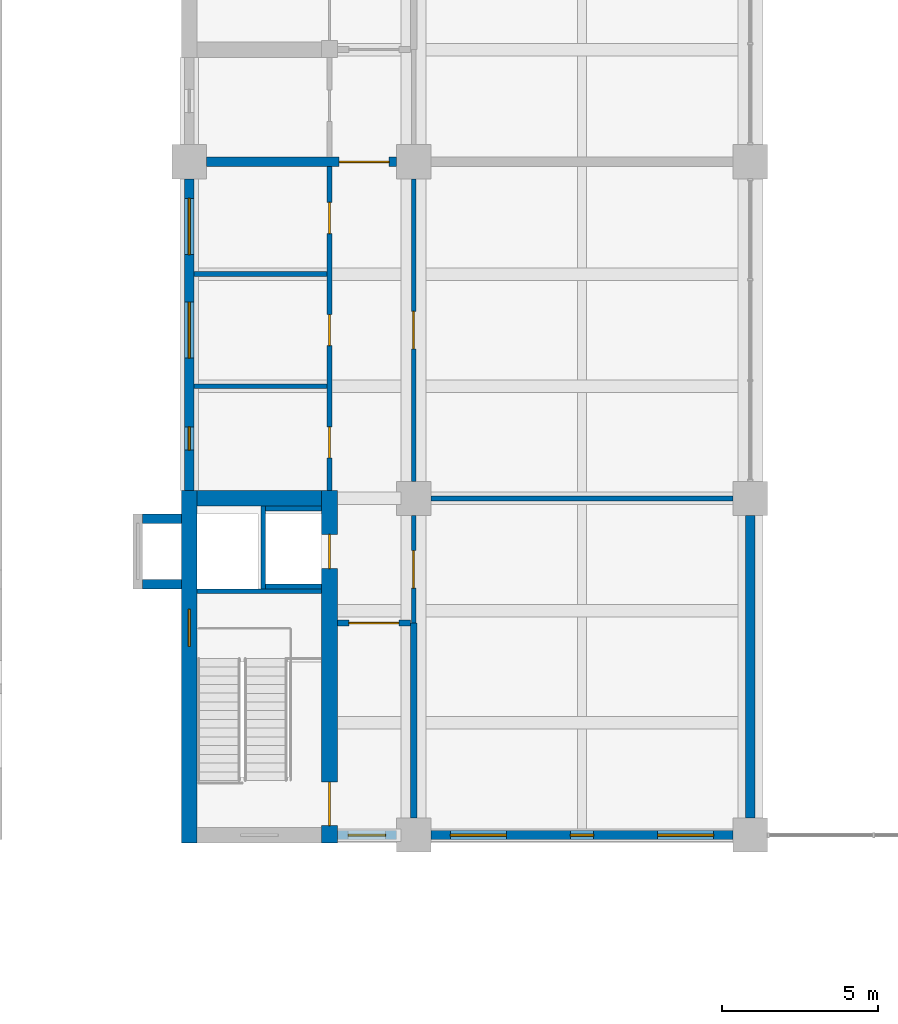
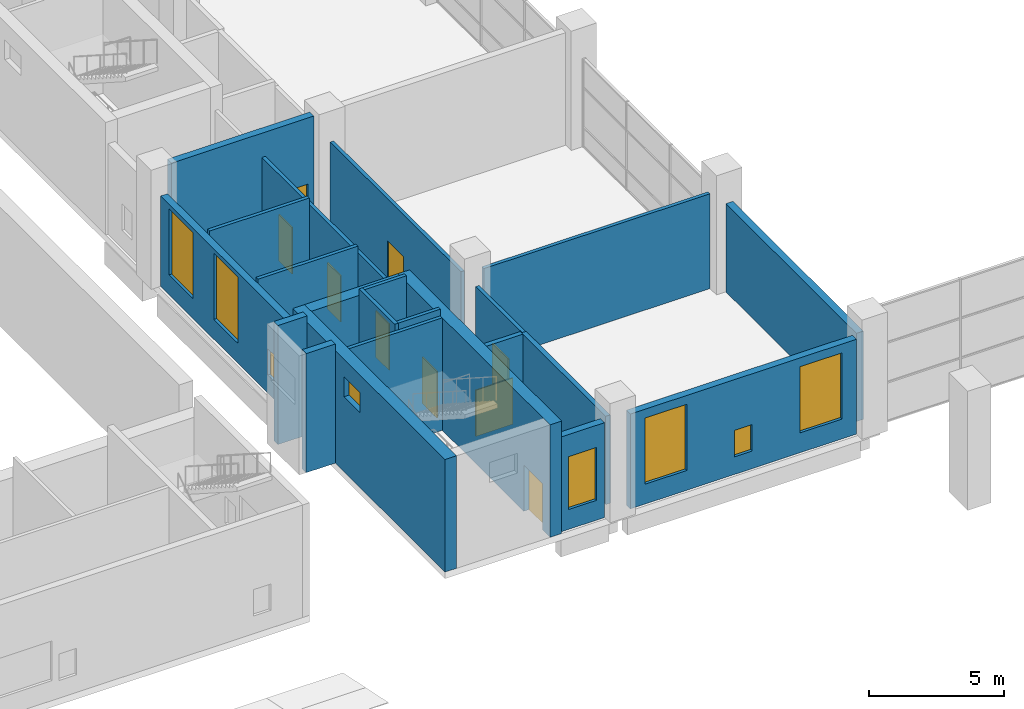
# One storey, part 18 of 33: 22 walls, 9 doors, 8 windows, 17 openings.
"""IFC4 building model written with IfcOpenShell, lengths in metres."""

from ifc_helpers import new_model, si_unit, direction, frame, frame_2d, origin, place, context, subcontext, project, spatial, rectangle, extrude, material, layer, layer_set, type_object, element, fill, save


model = new_model("IFC4")

# Units and contexts
model_context = context("Model", 3, precision=1e-05, world=origin(), true_north=direction((0.0, 1.0)))
body_context = subcontext(model_context, "Body", "Model", "MODEL_VIEW")
ifc_project = project(units=[si_unit("LENGTHUNIT", "METRE"), si_unit("AREAUNIT", "SQUARE_METRE"), si_unit("VOLUMEUNIT", "CUBIC_METRE"), si_unit("PLANEANGLEUNIT", "RADIAN"), si_unit("MASSUNIT", "GRAM", prefix="KILO")], contexts=[model_context])

# Site, building, storey
site_placement = place(None, origin())
site = spatial("IfcSite", under=ifc_project, at=site_placement, CompositionType="ELEMENT")
building_placement = place(site_placement, origin())
building = spatial("IfcBuilding", under=site, at=building_placement, Name="Basin Gate Institute", CompositionType="ELEMENT")
storey_placement = place(building_placement, frame((0.0, 0.0, 6.0)))
storey = spatial("IfcBuildingStorey", under=building, at=storey_placement, Name="L01", CompositionType="ELEMENT", Elevation=6.0)

# Wall
ifc_material_1 = material(Name="Fire-resisting board wall assembly")
ifc_layer_1 = layer(ifc_material_1, 0.300048828125)
ifc_layer_set_1 = layer_set([ifc_layer_1], Name="Atrium enclosure wall EW4")
wall_type_1 = type_object("IfcWallType", Name="Atrium enclosure wall EW4", PredefinedType="STANDARD", material=ifc_layer_set_1)
wall_1_placement = place(storey_placement, frame((79.199951171875, 35.64990234375, 0.0), z_axis=(0.0, 0.0, 1.0), x_axis=(0.0, 1.0, 0.0)))
element("IfcWall", 1, at=wall_1_placement, inside=storey, type_object=wall_type_1, material=ifc_layer_set_1, Name="Atrium enclosure wall W wing bay 1 L01", PredefinedType="STANDARD", context=body_context, shape_type="SweptSolid", body=[
    extrude(rectangle(XDim=9.7001953125, YDim=0.300048828125, at=frame_2d((4.85009765625, 0.0))), origin(), (0.0, 0.0, 1.0), 4.0),
])

# Wall, opening, door
ifc_material_2 = material(Name="Fire-rated masonry", Category="masonry")
ifc_layer_2 = layer(ifc_material_2, 0.199951171875)
ifc_layer_set_2 = layer_set([ifc_layer_2], Name="Enclosure wall PW2 200 EI 60")
wall_type_2 = type_object("IfcWallType", Name="Enclosure wall PW2 200 EI 60", PredefinedType="PARTITIONING", material=ifc_layer_set_2)
wall_2_placement = place(storey_placement, frame((65.949951171875, 41.89990234375, 0.0), z_axis=(0.0, 0.0, 1.0), x_axis=(1.0, 0.0, 0.0)))
wall_2 = element("IfcWall", 2, at=wall_2_placement, inside=storey, type_object=wall_type_2, material=ifc_layer_set_2, Name="Smoke lobby enclosure wall PW2 L01", PredefinedType="PARTITIONING", context=body_context, shape_type="SweptSolid", body=[
    extrude(rectangle(XDim=2.35009765625, YDim=0.199951171875, at=frame_2d((1.175048828125, 0.0))), origin(), (0.0, 0.0, 1.0), 4.0),
])
opening_1_placement = place(wall_2_placement, frame((0.375, 0.0, 0.0)))
opening_1 = element("IfcOpeningElement", 3, at=opening_1_placement, cuts=wall_2, Name="Opening DR086", PredefinedType="OPENING", context=body_context, shape_type="SweptSolid", body=[
    extrude(rectangle(XDim=1.60009765625, YDim=2.10009765625, at=frame_2d((0.800048828125, 1.050048828125))), frame((0.0, 0.10986328125, 0.0), z_axis=(0.0, -1.0, 0.0), x_axis=(1.0, 0.0, 0.0)), (0.0, 0.0, 1.0), 0.219970703125),
])
ifc_material_3 = material(Name="Steel fire door", Category="steel")
door_type_1 = type_object("IfcDoorType", Name="FD60 Smoke lobby door pair D8", OperationType="DOUBLE_DOOR_SINGLE_SWING", PredefinedType="DOOR", material=ifc_material_3)
door_1_placement = place(opening_1_placement, frame((1.60009765625, 0.0, 0.0), z_axis=(0.0, 0.0, 1.0), x_axis=(-1.0, 0.0, 0.0)))
door_1 = element("IfcDoor", 4, at=door_1_placement, inside=storey, type_object=door_type_1, material=ifc_material_3, Name="Smoke lobby door SS1 L01", OperationType="DOUBLE_DOOR_SINGLE_SWING", OverallHeight=2.10009765625, OverallWidth=1.60009765625, PredefinedType="DOOR", context=body_context, shape_type="SweptSolid", body=[
    extrude(rectangle(XDim=1.60009765625, YDim=2.10009765625, at=frame_2d((0.800048828125, 1.050048828125))), frame((0.0, 0.02490234375, 0.0), z_axis=(0.0, -1.0, 0.0), x_axis=(1.0, 0.0, 0.0)), (0.0, 0.0, 1.0), 0.050048828125),
])
fill(opening_1, door_1)

# Wall
wall_3_placement = place(storey_placement, frame((68.39990234375, 35.64990234375, 0.0), z_axis=(0.0, 0.0, 1.0), x_axis=(0.0, 1.0, 0.0)))
element("IfcWall", 5, at=wall_3_placement, inside=storey, type_object=wall_type_2, material=ifc_layer_set_2, Name="Smoke lobby enclosure wall PW2 L01", PredefinedType="PARTITIONING", context=body_context, shape_type="SweptSolid", body=[
    extrude(rectangle(XDim=6.25, YDim=0.199951171875, at=frame_2d((3.125, 0.0))), origin(), (0.0, 0.0, 1.0), 4.0),
])

# Wall, openings, windows
ifc_material_4 = material(Name="Aluminium-faced insulated panel wall", Category="aluminium")
ifc_layer_3 = layer(ifc_material_4, 0.300048828125)
ifc_layer_set_3 = layer_set([ifc_layer_3], Name="External wall EW1 EI 120")
wall_type_3 = type_object("IfcWallType", Name="External wall EW1 EI 120", PredefinedType="STANDARD", material=ifc_layer_set_3)
wall_4_placement = place(storey_placement, frame((61.199951171875, 46.14990234375, 0.0), z_axis=(0.0, 0.0, 1.0), x_axis=(0.0, 1.0, 0.0)))
wall_4 = element("IfcWall", 6, at=wall_4_placement, inside=storey, type_object=wall_type_3, material=ifc_layer_set_3, Name="External wall W facade L01 1", PredefinedType="STANDARD", context=body_context, shape_type="SweptSolid", body=[
    extrude(rectangle(XDim=10.0, YDim=0.300048828125, at=frame_2d((5.0, 0.0))), origin(), (0.0, 0.0, 1.0), 4.10009765625),
])
opening_2_placement = place(wall_4_placement, frame((1.300048828125, 0.0, 0.800048828125)))
opening_2 = element("IfcOpeningElement", 7, at=opening_2_placement, cuts=wall_4, Name="Opening WN3", PredefinedType="OPENING", context=body_context, shape_type="SweptSolid", body=[
    extrude(rectangle(XDim=0.75, YDim=1.199951171875, at=frame_2d((0.375, 0.60009765625))), frame((0.0, 0.16015625, 0.0), z_axis=(0.0, -1.0, 0.0), x_axis=(1.0, 0.0, 0.0)), (0.0, 0.0, 1.0), 0.320068359375),
])
opening_3_placement = place(wall_4_placement, frame((4.25, 0.0, 0.89990234375)))
opening_3 = element("IfcOpeningElement", 8, at=opening_3_placement, cuts=wall_4, Name="Opening WN2", PredefinedType="OPENING", context=body_context, shape_type="SweptSolid", body=[
    extrude(rectangle(XDim=1.800048828125, YDim=3.0, at=frame_2d((0.89990234375, 1.5))), frame((0.0, 0.16015625, 0.0), z_axis=(0.0, -1.0, 0.0), x_axis=(1.0, 0.0, 0.0)), (0.0, 0.0, 1.0), 0.320068359375),
])
opening_4_placement = place(wall_4_placement, frame((7.574951171875, 0.0, 0.89990234375)))
opening_4 = element("IfcOpeningElement", 9, at=opening_4_placement, cuts=wall_4, Name="Opening WN2", PredefinedType="OPENING", context=body_context, shape_type="SweptSolid", body=[
    extrude(rectangle(XDim=1.800048828125, YDim=3.0, at=frame_2d((0.89990234375, 1.5))), frame((0.0, 0.16015625, 0.0), z_axis=(0.0, -1.0, 0.0), x_axis=(1.0, 0.0, 0.0)), (0.0, 0.0, 1.0), 0.320068359375),
])
ifc_material_5 = material(Name="Aluminium-framed double glazing", Category="aluminium")
window_type_1 = type_object("IfcWindowType", Name="Emergency entry panel WN3", PartitioningType="SINGLE_PANEL", PredefinedType="WINDOW", material=ifc_material_5)
window_1_placement = place(opening_2_placement, origin())
window_1 = element("IfcWindow", 10, at=window_1_placement, inside=storey, type_object=window_type_1, material=ifc_material_5, Name="Emergency entry panel W facade L01 bay 4", OverallHeight=1.199951171875, OverallWidth=0.75, PartitioningType="SINGLE_PANEL", PredefinedType="WINDOW", context=body_context, shape_type="SweptSolid", body=[
    extrude(rectangle(XDim=0.75, YDim=1.199951171875, at=frame_2d((0.375, 0.60009765625))), frame((0.0, 0.030029296875, 0.0), z_axis=(0.0, -1.0, 0.0), x_axis=(1.0, 0.0, 0.0)), (0.0, 0.0, 1.0), 0.06005859375),
])
fill(opening_2, window_1)
ifc_material_6 = material(Name="Aluminium-framed double glazing", Category="aluminium")
window_type_2 = type_object("IfcWindowType", Name="Podium window WN2", PartitioningType="SINGLE_PANEL", PredefinedType="WINDOW", material=ifc_material_6)
window_2_placement = place(opening_3_placement, origin())
window_2 = element("IfcWindow", 11, at=window_2_placement, inside=storey, type_object=window_type_2, material=ifc_material_6, Name="Podium window W facade L01 bay 5", OverallHeight=3.0, OverallWidth=1.800048828125, PartitioningType="SINGLE_PANEL", PredefinedType="WINDOW", context=body_context, shape_type="SweptSolid", body=[
    extrude(rectangle(XDim=1.800048828125, YDim=3.0, at=frame_2d((0.89990234375, 1.5))), frame((0.0, 0.030029296875, 0.0), z_axis=(0.0, -1.0, 0.0), x_axis=(1.0, 0.0, 0.0)), (0.0, 0.0, 1.0), 0.06005859375),
])
fill(opening_3, window_2)
window_3_placement = place(opening_4_placement, origin())
window_3 = element("IfcWindow", 12, at=window_3_placement, inside=storey, type_object=window_type_2, material=ifc_material_6, Name="Podium window W facade L01 bay 6", OverallHeight=3.0, OverallWidth=1.800048828125, PartitioningType="SINGLE_PANEL", PredefinedType="WINDOW", context=body_context, shape_type="SweptSolid", body=[
    extrude(rectangle(XDim=1.800048828125, YDim=3.0, at=frame_2d((0.89990234375, 1.5))), frame((0.0, 0.030029296875, 0.0), z_axis=(0.0, -1.0, 0.0), x_axis=(1.0, 0.0, 0.0)), (0.0, 0.0, 1.0), 0.06005859375),
])
fill(opening_4, window_3)

# Wall, opening, window
wall_5_placement = place(storey_placement, frame((65.949951171875, 35.10009765625, 0.0), z_axis=(0.0, 0.0, 1.0), x_axis=(1.0, 0.0, 0.0)))
wall_5 = element("IfcWall", 13, at=wall_5_placement, inside=storey, type_object=wall_type_3, material=ifc_layer_set_3, Name="External end wall W wing south L01 1", PredefinedType="STANDARD", context=body_context, shape_type="SweptSolid", body=[
    extrude(rectangle(XDim=1.900146484375, YDim=0.300048828125, at=frame_2d((0.9501953125, 0.0))), origin(), (0.0, 0.0, 1.0), 4.300048828125),
])
opening_5_placement = place(wall_5_placement, frame((0.35009765625, 0.0, 0.89990234375)))
opening_5 = element("IfcOpeningElement", 14, at=opening_5_placement, cuts=wall_5, Name="Opening WN4", PredefinedType="OPENING", context=body_context, shape_type="SweptSolid", body=[
    extrude(rectangle(XDim=1.199951171875, YDim=2.39990234375, at=frame_2d((0.60009765625, 1.199951171875))), frame((0.0, 0.16015625, 0.0), z_axis=(0.0, -1.0, 0.0), x_axis=(1.0, 0.0, 0.0)), (0.0, 0.0, 1.0), 0.320068359375),
])
ifc_material_7 = material(Name="Aluminium-framed double glazing", Category="aluminium")
window_type_3 = type_object("IfcWindowType", Name="Corridor end window WN4", PartitioningType="SINGLE_PANEL", PredefinedType="WINDOW", material=ifc_material_7)
window_4_placement = place(opening_5_placement, origin())
window_4 = element("IfcWindow", 15, at=window_4_placement, inside=storey, type_object=window_type_3, material=ifc_material_7, Name="Corridor end window W wing S L01", OverallHeight=2.39990234375, OverallWidth=1.199951171875, PartitioningType="SINGLE_PANEL", PredefinedType="WINDOW", context=body_context, shape_type="SweptSolid", body=[
    extrude(rectangle(XDim=1.199951171875, YDim=2.39990234375, at=frame_2d((0.60009765625, 1.199951171875))), frame((0.0, 0.030029296875, 0.0), z_axis=(0.0, -1.0, 0.0), x_axis=(1.0, 0.0, 0.0)), (0.0, 0.0, 1.0), 0.06005859375),
])
fill(opening_5, window_4)

# Wall, openings, windows
wall_6_placement = place(storey_placement, frame((68.949951171875, 35.10009765625, 0.0), z_axis=(0.0, 0.0, 1.0), x_axis=(1.0, 0.0, 0.0)))
wall_6 = element("IfcWall", 16, at=wall_6_placement, inside=storey, type_object=wall_type_3, material=ifc_layer_set_3, Name="External end wall W wing south L01 2", PredefinedType="STANDARD", context=body_context, shape_type="SweptSolid", body=[
    extrude(rectangle(XDim=9.699951171875, YDim=0.300048828125, at=frame_2d((4.85009765625, 0.0))), origin(), (0.0, 0.0, 1.0), 4.300048828125),
])
opening_6_placement = place(wall_6_placement, frame((0.625, 0.0, 0.89990234375)))
opening_6 = element("IfcOpeningElement", 17, at=opening_6_placement, cuts=wall_6, Name="Opening WN2", PredefinedType="OPENING", context=body_context, shape_type="SweptSolid", body=[
    extrude(rectangle(XDim=1.800048828125, YDim=3.0, at=frame_2d((0.89990234375, 1.5))), frame((0.0, 0.16015625, 0.0), z_axis=(0.0, -1.0, 0.0), x_axis=(1.0, 0.0, 0.0)), (0.0, 0.0, 1.0), 0.320068359375),
])
opening_7_placement = place(wall_6_placement, frame((4.47509765625, 0.0, 0.800048828125)))
opening_7 = element("IfcOpeningElement", 18, at=opening_7_placement, cuts=wall_6, Name="Opening WN3", PredefinedType="OPENING", context=body_context, shape_type="SweptSolid", body=[
    extrude(rectangle(XDim=0.75, YDim=1.199951171875, at=frame_2d((0.375, 0.60009765625))), frame((0.0, 0.16015625, 0.0), z_axis=(0.0, -1.0, 0.0), x_axis=(1.0, 0.0, 0.0)), (0.0, 0.0, 1.0), 0.320068359375),
])
opening_8_placement = place(wall_6_placement, frame((7.27490234375, 0.0, 0.89990234375)))
opening_8 = element("IfcOpeningElement", 19, at=opening_8_placement, cuts=wall_6, Name="Opening WN2", PredefinedType="OPENING", context=body_context, shape_type="SweptSolid", body=[
    extrude(rectangle(XDim=1.800048828125, YDim=3.0, at=frame_2d((0.89990234375, 1.5))), frame((0.0, 0.16015625, 0.0), z_axis=(0.0, -1.0, 0.0), x_axis=(1.0, 0.0, 0.0)), (0.0, 0.0, 1.0), 0.320068359375),
])
window_5_placement = place(opening_7_placement, origin())
window_5 = element("IfcWindow", 20, at=window_5_placement, inside=storey, type_object=window_type_1, material=ifc_material_5, Name="Emergency entry panel W wing end S L01 bay 2", OverallHeight=1.199951171875, OverallWidth=0.75, PartitioningType="SINGLE_PANEL", PredefinedType="WINDOW", context=body_context, shape_type="SweptSolid", body=[
    extrude(rectangle(XDim=0.75, YDim=1.199951171875, at=frame_2d((0.375, 0.60009765625))), frame((0.0, 0.030029296875, 0.0), z_axis=(0.0, -1.0, 0.0), x_axis=(1.0, 0.0, 0.0)), (0.0, 0.0, 1.0), 0.06005859375),
])
fill(opening_7, window_5)
window_6_placement = place(opening_6_placement, origin())
window_6 = element("IfcWindow", 21, at=window_6_placement, inside=storey, type_object=window_type_2, material=ifc_material_6, Name="Podium window W wing end S L01 bay 1", OverallHeight=3.0, OverallWidth=1.800048828125, PartitioningType="SINGLE_PANEL", PredefinedType="WINDOW", context=body_context, shape_type="SweptSolid", body=[
    extrude(rectangle(XDim=1.800048828125, YDim=3.0, at=frame_2d((0.89990234375, 1.5))), frame((0.0, 0.030029296875, 0.0), z_axis=(0.0, -1.0, 0.0), x_axis=(1.0, 0.0, 0.0)), (0.0, 0.0, 1.0), 0.06005859375),
])
fill(opening_6, window_6)
window_7_placement = place(opening_8_placement, origin())
window_7 = element("IfcWindow", 22, at=window_7_placement, inside=storey, type_object=window_type_2, material=ifc_material_6, Name="Podium window W wing end S L01 bay 3", OverallHeight=3.0, OverallWidth=1.800048828125, PartitioningType="SINGLE_PANEL", PredefinedType="WINDOW", context=body_context, shape_type="SweptSolid", body=[
    extrude(rectangle(XDim=1.800048828125, YDim=3.0, at=frame_2d((0.89990234375, 1.5))), frame((0.0, 0.030029296875, 0.0), z_axis=(0.0, -1.0, 0.0), x_axis=(1.0, 0.0, 0.0)), (0.0, 0.0, 1.0), 0.06005859375),
])
fill(opening_8, window_7)

# Wall, openings, doors
ifc_material_8 = material(Name="Gypsum board on steel stud", Category="steel")
ifc_layer_4 = layer(ifc_material_8, 0.14990234375)
ifc_layer_set_4 = layer_set([ifc_layer_4], Name="Gypsum board on steel stud")
wall_type_4 = type_object("IfcWallType", Name="Partition PW1 150 EI 60", PredefinedType="PARTITIONING", material=ifc_layer_set_4)
wall_7_placement = place(storey_placement, frame((65.699951171875, 46.14990234375, 0.0), z_axis=(0.0, 0.0, 1.0), x_axis=(0.0, 1.0, 0.0)))
wall_7 = element("IfcWall", 23, at=wall_7_placement, inside=storey, type_object=wall_type_4, material=ifc_layer_set_4, Name="Corridor wall PW1 L01", PredefinedType="PARTITIONING", context=body_context, shape_type="SweptSolid", body=[
    extrude(rectangle(XDim=10.400146484375, YDim=0.14990234375, at=frame_2d((5.2001953125, 0.0))), origin(), (0.0, 0.0, 1.0), 4.0),
])
opening_9_placement = place(wall_7_placement, frame((4.64990234375, 0.0, 0.0)))
opening_9 = element("IfcOpeningElement", 24, at=opening_9_placement, cuts=wall_7, Name="Opening DR074", PredefinedType="OPENING", context=body_context, shape_type="SweptSolid", body=[
    extrude(rectangle(XDim=1.0, YDim=2.10009765625, at=frame_2d((0.5, 1.050048828125))), frame((0.0, 0.0849609375, 0.0), z_axis=(0.0, -1.0, 0.0), x_axis=(1.0, 0.0, 0.0)), (0.0, 0.0, 1.0), 0.169921875),
])
opening_10_placement = place(wall_7_placement, frame((1.050048828125, 0.0, 0.0)))
opening_10 = element("IfcOpeningElement", 25, at=opening_10_placement, cuts=wall_7, Name="Opening DR081", PredefinedType="OPENING", context=body_context, shape_type="SweptSolid", body=[
    extrude(rectangle(XDim=1.0, YDim=2.10009765625, at=frame_2d((0.5, 1.050048828125))), frame((0.0, 0.0849609375, 0.0), z_axis=(0.0, -1.0, 0.0), x_axis=(1.0, 0.0, 0.0)), (0.0, 0.0, 1.0), 0.169921875),
])
opening_11_placement = place(wall_7_placement, frame((8.25, 0.0, 0.0)))
opening_11 = element("IfcOpeningElement", 26, at=opening_11_placement, cuts=wall_7, Name="Opening DR082", PredefinedType="OPENING", context=body_context, shape_type="SweptSolid", body=[
    extrude(rectangle(XDim=1.0, YDim=2.10009765625, at=frame_2d((0.5, 1.050048828125))), frame((0.0, 0.0849609375, 0.0), z_axis=(0.0, -1.0, 0.0), x_axis=(1.0, 0.0, 0.0)), (0.0, 0.0, 1.0), 0.169921875),
])
ifc_material_9 = material(Name="Timber fire door", Category="wood")
door_type_2 = type_object("IfcDoorType", Name="FD30 Office door D1", OperationType="NOTDEFINED", PredefinedType="DOOR", material=ifc_material_9)
door_2_placement = place(opening_10_placement, origin())
door_2 = element("IfcDoor", 27, at=door_2_placement, inside=storey, type_object=door_type_2, material=ifc_material_9, Name="Door to Write-up Office 0101 L01", OperationType="SINGLE_SWING_LEFT", OverallHeight=2.10009765625, OverallWidth=1.0, PredefinedType="DOOR", context=body_context, shape_type="SweptSolid", body=[
    extrude(rectangle(XDim=1.0, YDim=2.10009765625, at=frame_2d((0.5, 1.050048828125))), frame((0.0, 0.02490234375, 0.0), z_axis=(0.0, -1.0, 0.0), x_axis=(1.0, 0.0, 0.0)), (0.0, 0.0, 1.0), 0.050048828125),
])
fill(opening_10, door_2)
door_3_placement = place(opening_11_placement, origin())
door_3 = element("IfcDoor", 28, at=door_3_placement, inside=storey, type_object=door_type_2, material=ifc_material_9, Name="Door to Write-up Office 0103 L01", OperationType="SINGLE_SWING_RIGHT", OverallHeight=2.10009765625, OverallWidth=1.0, PredefinedType="DOOR", context=body_context, shape_type="SweptSolid", body=[
    extrude(rectangle(XDim=1.0, YDim=2.10009765625, at=frame_2d((0.5, 1.050048828125))), frame((0.0, 0.02490234375, 0.0), z_axis=(0.0, -1.0, 0.0), x_axis=(1.0, 0.0, 0.0)), (0.0, 0.0, 1.0), 0.050048828125),
])
fill(opening_11, door_3)
ifc_material_10 = material(Name="Timber fire door", Category="wood")
door_type_3 = type_object("IfcDoorType", Name="FD30 Toilet door D3", OperationType="NOTDEFINED", PredefinedType="DOOR", material=ifc_material_10)
door_4_placement = place(opening_9_placement, origin())
door_4 = element("IfcDoor", 29, at=door_4_placement, inside=storey, type_object=door_type_3, material=ifc_material_10, Name="Door to Female WC L01", OperationType="SINGLE_SWING_LEFT", OverallHeight=2.10009765625, OverallWidth=1.0, PredefinedType="DOOR", context=body_context, shape_type="SweptSolid", body=[
    extrude(rectangle(XDim=1.0, YDim=2.10009765625, at=frame_2d((0.5, 1.050048828125))), frame((0.0, 0.02490234375, 0.0), z_axis=(0.0, -1.0, 0.0), x_axis=(1.0, 0.0, 0.0)), (0.0, 0.0, 1.0), 0.050048828125),
])
fill(opening_9, door_4)

# Wall, opening, door
wall_8_placement = place(storey_placement, frame((68.39990234375, 41.89990234375, 0.0), z_axis=(0.0, 0.0, 1.0), x_axis=(0.0, 1.0, 0.0)))
wall_8 = element("IfcWall", 30, at=wall_8_placement, inside=storey, type_object=wall_type_4, material=ifc_layer_set_4, Name="Laboratory corridor wall PW1 L01", PredefinedType="PARTITIONING", context=body_context, shape_type="SweptSolid", body=[
    extrude(rectangle(XDim=3.4501953125, YDim=0.14990234375, at=frame_2d((1.72509765625, 0.0))), origin(), (0.0, 0.0, 1.0), 4.0),
])
opening_12_placement = place(wall_8_placement, frame((1.125, 0.0, 0.0)))
opening_12 = element("IfcOpeningElement", 31, at=opening_12_placement, cuts=wall_8, Name="Opening DR075", PredefinedType="OPENING", context=body_context, shape_type="SweptSolid", body=[
    extrude(rectangle(XDim=1.199951171875, YDim=2.10009765625, at=frame_2d((0.60009765625, 1.050048828125))), frame((0.0, 0.0849609375, 0.0), z_axis=(0.0, -1.0, 0.0), x_axis=(1.0, 0.0, 0.0)), (0.0, 0.0, 1.0), 0.169921875),
])
ifc_material_11 = material(Name="Timber fire door", Category="wood")
door_type_4 = type_object("IfcDoorType", Name="FD30 Laboratory door D2", OperationType="DOUBLE_DOOR_SINGLE_SWING", PredefinedType="DOOR", material=ifc_material_11)
door_5_placement = place(opening_12_placement, frame((1.199951171875, 0.0, 0.0), z_axis=(0.0, 0.0, 1.0), x_axis=(-1.0, 0.0, 0.0)))
door_5 = element("IfcDoor", 32, at=door_5_placement, inside=storey, type_object=door_type_4, material=ifc_material_11, Name="Door to Library 0116 L01", OperationType="DOUBLE_DOOR_SINGLE_SWING", OverallHeight=2.10009765625, OverallWidth=1.199951171875, PredefinedType="DOOR", context=body_context, shape_type="SweptSolid", body=[
    extrude(rectangle(XDim=1.199951171875, YDim=2.10009765625, at=frame_2d((0.60009765625, 1.050048828125))), frame((0.0, 0.02490234375, 0.0), z_axis=(0.0, -1.0, 0.0), x_axis=(1.0, 0.0, 0.0)), (0.0, 0.0, 1.0), 0.050048828125),
])
fill(opening_12, door_5)

wall_9_placement = place(storey_placement, frame((68.39990234375, 46.449951171875, 0.0), z_axis=(0.0, 0.0, 1.0), x_axis=(0.0, 1.0, 0.0)))
wall_9 = element("IfcWall", 33, at=wall_9_placement, inside=storey, type_object=wall_type_4, material=ifc_layer_set_4, Name="Laboratory corridor wall PW1 L01", PredefinedType="PARTITIONING", context=body_context, shape_type="SweptSolid", body=[
    extrude(rectangle(XDim=9.699951171875, YDim=0.14990234375, at=frame_2d((4.85009765625, 0.0))), origin(), (0.0, 0.0, 1.0), 4.0),
])
opening_13_placement = place(wall_9_placement, frame((4.25, 0.0, 0.0)))
opening_13 = element("IfcOpeningElement", 34, at=opening_13_placement, cuts=wall_9, Name="Opening DR076", PredefinedType="OPENING", context=body_context, shape_type="SweptSolid", body=[
    extrude(rectangle(XDim=1.199951171875, YDim=2.10009765625, at=frame_2d((0.60009765625, 1.050048828125))), frame((0.0, 0.0849609375, 0.0), z_axis=(0.0, -1.0, 0.0), x_axis=(1.0, 0.0, 0.0)), (0.0, 0.0, 1.0), 0.169921875),
])
door_6_placement = place(opening_13_placement, frame((1.199951171875, 0.0, 0.0), z_axis=(0.0, 0.0, 1.0), x_axis=(-1.0, 0.0, 0.0)))
door_6 = element("IfcDoor", 35, at=door_6_placement, inside=storey, type_object=door_type_4, material=ifc_material_11, Name="Door to Library 0117 L01", OperationType="DOUBLE_DOOR_SINGLE_SWING", OverallHeight=2.10009765625, OverallWidth=1.199951171875, PredefinedType="DOOR", context=body_context, shape_type="SweptSolid", body=[
    extrude(rectangle(XDim=1.199951171875, YDim=2.10009765625, at=frame_2d((0.60009765625, 1.050048828125))), frame((0.0, 0.02490234375, 0.0), z_axis=(0.0, -1.0, 0.0), x_axis=(1.0, 0.0, 0.0)), (0.0, 0.0, 1.0), 0.050048828125),
])
fill(opening_13, door_6)

# Walls
wall_10_placement = place(storey_placement, frame((68.949951171875, 45.89990234375, 0.0), z_axis=(0.0, 0.0, 1.0), x_axis=(1.0, 0.0, 0.0)))
element("IfcWall", 36, at=wall_10_placement, inside=storey, type_object=wall_type_4, material=ifc_layer_set_4, Name="Laboratory partition PW1 L01", PredefinedType="PARTITIONING", context=body_context, shape_type="SweptSolid", body=[
    extrude(rectangle(XDim=9.699951171875, YDim=0.14990234375, at=frame_2d((4.85009765625, 0.0))), origin(), (0.0, 0.0, 1.0), 4.300048828125),
])
ifc_material_12 = material(Name="Gypsum board on steel stud", Category="steel")
ifc_layer_5 = layer(ifc_material_12, 0.14990234375)
ifc_layer_set_5 = layer_set([ifc_layer_5], Name="Gypsum board on steel stud")
wall_type_5 = type_object("IfcWallType", Name="Partition PW4 150", PredefinedType="PARTITIONING", material=ifc_layer_set_5)
for number, where, z_axis, x_axis, name in (
    (37, (61.35009765625, 49.5, 0.0), (0.0, 0.0, 1.0), (1.0, 0.0, 0.0), "Toilet partition PW4 L01"),
    (38, (61.35009765625, 53.10009765625, 0.0), (0.0, 0.0, 1.0), (1.0, 0.0, 0.0), "Toilet partition PW4 L01"),
):
    element("IfcWall", number, at=place(storey_placement, frame(where, z_axis=z_axis, x_axis=x_axis)), inside=storey, type_object=wall_type_5, material=ifc_layer_set_5, Name=name, PredefinedType="PARTITIONING", context=body_context, shape_type="SweptSolid", body=[
        extrude(rectangle(XDim=4.27490234375, YDim=0.14990234375, at=frame_2d((2.137451171875, 0.0))), origin(), (0.0, 0.0, 1.0), 4.300048828125),
    ])
ifc_material_13 = material(Name="Concrete 40 MPa", Category="concrete")
ifc_layer_6 = layer(ifc_material_13, 0.14990234375)
ifc_layer_set_6 = layer_set([ifc_layer_6], Name="Concrete 40 MPa")
wall_type_6 = type_object("IfcWallType", Name="Wall LS1 lift shaft enclosure R180", PredefinedType="SOLIDWALL", material=ifc_layer_set_6)
wall_11_placement = place(storey_placement, frame((63.574951171875, 43.0, 0.0), z_axis=(0.0, 0.0, 1.0), x_axis=(0.0, 1.0, 0.0)))
element("IfcWall", 39, at=wall_11_placement, inside=storey, type_object=wall_type_6, material=ifc_layer_set_6, Name="Lift shaft enclosure LP1 L01 UL", PredefinedType="SOLIDWALL", context=body_context, shape_type="SweptSolid", body=[
    extrude(rectangle(XDim=2.64990234375, YDim=0.14990234375, at=frame_2d((1.324951171875, 0.0))), origin(), (0.0, 0.0, 1.0), 5.39990234375),
])
for number, where, z_axis, x_axis, name in (
    (40, (63.64990234375, 43.074951171875, 0.0), (0.0, 0.0, 1.0), (1.0, 0.0, 0.0), "Lift shaft enclosure LP1 L01 RL"),
    (41, (63.64990234375, 45.574951171875, 0.0), (0.0, 0.0, 1.0), (1.0, 0.0, 0.0), "Lift shaft enclosure LP1 L01 RH"),
):
    element("IfcWall", number, at=place(storey_placement, frame(where, z_axis=z_axis, x_axis=x_axis)), inside=storey, type_object=wall_type_6, material=ifc_layer_set_6, Name=name, PredefinedType="SOLIDWALL", context=body_context, shape_type="SweptSolid", body=[
        extrude(rectangle(XDim=1.800048828125, YDim=0.14990234375, at=frame_2d((0.89990234375, 0.0))), origin(), (0.0, 0.0, 1.0), 5.39990234375),
    ])
ifc_material_14 = material(Name="Concrete 40 MPa", Category="concrete")
ifc_layer_7 = layer(ifc_material_14, 0.14990234375)
ifc_layer_set_7 = layer_set([ifc_layer_7], Name="Concrete 40 MPa")
wall_type_7 = type_object("IfcWallType", Name="Wall SE1 stair enclosure R180", PredefinedType="SOLIDWALL", material=ifc_layer_set_7)
wall_12_placement = place(storey_placement, frame((61.449951171875, 42.925048828125, 0.0), z_axis=(0.0, 0.0, 1.0), x_axis=(1.0, 0.0, 0.0)))
element("IfcWall", 42, at=wall_12_placement, inside=storey, type_object=wall_type_7, material=ifc_layer_set_7, Name="Stair enclosure wall ST-WS L01", PredefinedType="SOLIDWALL", context=body_context, shape_type="SweptSolid", body=[
    extrude(rectangle(XDim=4.0, YDim=0.14990234375, at=frame_2d((2.0, 0.0))), origin(), (0.0, 0.0, 1.0), 5.10009765625),
])
ifc_material_15 = material(Name="Concrete 50 MPa", Category="concrete")
ifc_layer_8 = layer(ifc_material_15, 0.300048828125)
ifc_layer_set_8 = layer_set([ifc_layer_8], Name="Concrete 50 MPa")
wall_type_8 = type_object("IfcWallType", Name="Wall SK1 R180", PredefinedType="SHEAR", material=ifc_layer_set_8)
for number, where, z_axis, x_axis, name in (
    (43, (60.949951171875, 43.14990234375, 0.0), (0.0, 0.0, 1.0), (-1.0, 0.0, 0.0), "Spine riser stack wall SK1 WS A L01"),
    (44, (60.949951171875, 45.25, 0.0), (0.0, 0.0, 1.0), (-1.0, 0.0, 0.0), "Spine riser stack wall SK1 WS B L01"),
):
    element("IfcWall", number, at=place(storey_placement, frame(where, z_axis=z_axis, x_axis=x_axis)), inside=storey, type_object=wall_type_8, material=ifc_layer_set_8, Name=name, PredefinedType="SHEAR", context=body_context, shape_type="SweptSolid", body=[
        extrude(rectangle(XDim=1.25, YDim=0.300048828125, at=frame_2d((0.625, 0.0))), origin(), (0.0, 0.0, 1.0), 5.39990234375),
    ])

# Wall, opening, window
ifc_material_16 = material(Name="Concrete 60 MPa", Category="concrete")
ifc_layer_9 = layer(ifc_material_16, 0.5)
ifc_layer_set_9 = layer_set([ifc_layer_9], Name="Concrete 60 MPa")
wall_type_9 = type_object("IfcWallType", Name="Wall SW1 R180", PredefinedType="SHEAR", material=ifc_layer_set_9)
wall_13_placement = place(storey_placement, frame((61.199951171875, 34.85009765625, 0.0), z_axis=(0.0, 0.0, 1.0), x_axis=(0.0, 1.0, 0.0)))
wall_13 = element("IfcWall", 45, at=wall_13_placement, inside=storey, type_object=wall_type_9, material=ifc_layer_set_9, Name="WALL/L01/WS/L", PredefinedType="SHEAR", context=body_context, shape_type="SweptSolid", body=[
    extrude(rectangle(XDim=11.2998046875, YDim=0.5, at=frame_2d((5.64990234375, 0.0))), origin(), (0.0, 0.0, 1.0), 5.10009765625),
])
opening_14_placement = place(wall_13_placement, frame((6.300048828125, 0.0, 3.39990234375)))
opening_14 = element("IfcOpeningElement", 46, at=opening_14_placement, cuts=wall_13, Name="Opening WT1", PredefinedType="OPENING", context=body_context, shape_type="SweptSolid", body=[
    extrude(rectangle(XDim=1.199951171875, YDim=0.89990234375, at=frame_2d((0.60009765625, 0.449951171875))), frame((0.0, 0.260009765625, 0.0), z_axis=(0.0, -1.0, 0.0), x_axis=(1.0, 0.0, 0.0)), (0.0, 0.0, 1.0), 0.52001953125),
])
ifc_material_17 = material(Name="Fire-resistant glazing in steel-free frame", Category="steel")
window_type_4 = type_object("IfcWindowType", Name="Rated stair window EI 180 WT1", PartitioningType="SINGLE_PANEL", PredefinedType="WINDOW", material=ifc_material_17)
window_8_placement = place(opening_14_placement, origin())
window_8 = element("IfcWindow", 47, at=window_8_placement, inside=storey, type_object=window_type_4, material=ifc_material_17, Name="Rated stair window EI 180 WS landing L01", OverallHeight=0.89990234375, OverallWidth=1.199951171875, PartitioningType="SINGLE_PANEL", PredefinedType="WINDOW", context=body_context, shape_type="SweptSolid", body=[
    extrude(rectangle(XDim=1.199951171875, YDim=0.89990234375, at=frame_2d((0.60009765625, 0.449951171875))), frame((0.0, 0.030029296875, 0.0), z_axis=(0.0, -1.0, 0.0), x_axis=(1.0, 0.0, 0.0)), (0.0, 0.0, 1.0), 0.06005859375),
])
fill(opening_14, window_8)

# Wall, openings, doors
wall_14_placement = place(storey_placement, frame((65.699951171875, 34.85009765625, 0.0), z_axis=(0.0, 0.0, 1.0), x_axis=(0.0, 1.0, 0.0)))
wall_14 = element("IfcWall", 48, at=wall_14_placement, inside=storey, type_object=wall_type_9, material=ifc_layer_set_9, Name="WALL/L01/WS/C", PredefinedType="SHEAR", context=body_context, shape_type="SweptSolid", body=[
    extrude(rectangle(XDim=11.2998046875, YDim=0.5, at=frame_2d((5.64990234375, 0.0))), origin(), (0.0, 0.0, 1.0), 5.10009765625),
])
opening_15_placement = place(wall_14_placement, frame((0.550048828125, 0.0, 0.0)))
opening_15 = element("IfcOpeningElement", 49, at=opening_15_placement, cuts=wall_14, Name="Opening DS007", PredefinedType="OPENING", context=body_context, shape_type="SweptSolid", body=[
    extrude(rectangle(XDim=1.39990234375, YDim=2.10009765625, at=frame_2d((0.699951171875, 1.050048828125))), frame((0.0, 0.260009765625, 0.0), z_axis=(0.0, -1.0, 0.0), x_axis=(1.0, 0.0, 0.0)), (0.0, 0.0, 1.0), 0.52001953125),
])
opening_16_placement = place(wall_14_placement, frame((8.800048828125, 0.0, 0.0)))
opening_16 = element("IfcOpeningElement", 50, at=opening_16_placement, cuts=wall_14, Name="Opening LD004", PredefinedType="OPENING", context=body_context, shape_type="SweptSolid", body=[
    extrude(rectangle(XDim=1.10009765625, YDim=2.10009765625, at=frame_2d((0.550048828125, 1.050048828125))), frame((0.0, 0.260009765625, 0.0), z_axis=(0.0, -1.0, 0.0), x_axis=(1.0, 0.0, 0.0)), (0.0, 0.0, 1.0), 0.52001953125),
])
ifc_material_18 = material(Name="Steel fire door", Category="steel")
door_type_5 = type_object("IfcDoorType", Name="FD30 Stair enclosure door DS", OperationType="DOUBLE_DOOR_SINGLE_SWING", PredefinedType="DOOR", material=ifc_material_18)
door_7_placement = place(opening_15_placement, origin())
door_7 = element("IfcDoor", 51, at=door_7_placement, inside=storey, type_object=door_type_5, material=ifc_material_18, Name="Stair enclosure door ST-WS L01", OperationType="DOUBLE_DOOR_SINGLE_SWING", OverallHeight=2.10009765625, OverallWidth=1.39990234375, PredefinedType="DOOR", context=body_context, shape_type="SweptSolid", body=[
    extrude(rectangle(XDim=1.39990234375, YDim=2.10009765625, at=frame_2d((0.699951171875, 1.050048828125))), frame((0.0, 0.02490234375, 0.0), z_axis=(0.0, -1.0, 0.0), x_axis=(1.0, 0.0, 0.0)), (0.0, 0.0, 1.0), 0.050048828125),
])
fill(opening_15, door_7)
ifc_material_19 = material(Name="Stainless steel", Category="steel")
door_type_6 = type_object("IfcDoorType", Name="FD60 Lift landing door LD", OperationType="SLIDING_TO_LEFT", PredefinedType="DOOR", material=ifc_material_19)
door_8_placement = place(opening_16_placement, origin())
door_8 = element("IfcDoor", 52, at=door_8_placement, inside=storey, type_object=door_type_6, material=ifc_material_19, Name="Lift landing door LP1 L01", OperationType="SLIDING_TO_LEFT", OverallHeight=2.10009765625, OverallWidth=1.10009765625, PredefinedType="DOOR", context=body_context, shape_type="SweptSolid", body=[
    extrude(rectangle(XDim=1.10009765625, YDim=2.10009765625, at=frame_2d((0.550048828125, 1.050048828125))), frame((0.0, 0.02490234375, 0.0), z_axis=(0.0, -1.0, 0.0), x_axis=(1.0, 0.0, 0.0)), (0.0, 0.0, 1.0), 0.050048828125),
])
fill(opening_16, door_8)

# Wall
wall_15_placement = place(storey_placement, frame((61.449951171875, 45.89990234375, 0.0), z_axis=(0.0, 0.0, 1.0), x_axis=(1.0, 0.0, 0.0)))
element("IfcWall", 53, at=wall_15_placement, inside=storey, type_object=wall_type_9, material=ifc_layer_set_9, Name="WALL/L01/WS/N", PredefinedType="SHEAR", context=body_context, shape_type="SweptSolid", body=[
    extrude(rectangle(XDim=4.0, YDim=0.5, at=frame_2d((2.0, 0.0))), origin(), (0.0, 0.0, 1.0), 5.10009765625),
])

# Wall, opening, door
ifc_material_20 = material(Name="Concrete 50 MPa", Category="concrete")
ifc_layer_10 = layer(ifc_material_20, 0.300048828125)
ifc_layer_set_10 = layer_set([ifc_layer_10], Name="Concrete 50 MPa")
wall_type_10 = type_object("IfcWallType", Name="Wall XW1 R180", PredefinedType="SHEAR", material=ifc_layer_set_10)
wall_16_placement = place(storey_placement, frame((61.75, 56.699951171875, 0.0), z_axis=(0.0, 0.0, 1.0), x_axis=(1.0, 0.0, 0.0)))
wall_16 = element("IfcWall", 54, at=wall_16_placement, inside=storey, type_object=wall_type_10, material=ifc_layer_set_10, Name="WALL/L01/WXC/1", PredefinedType="SHEAR", context=body_context, shape_type="SweptSolid", body=[
    extrude(rectangle(XDim=6.10009765625, YDim=0.300048828125, at=frame_2d((3.050048828125, 0.0))), origin(), (0.0, 0.0, 1.0), 5.10009765625),
])
opening_17_placement = place(wall_16_placement, frame((4.262451171875, 0.0, 0.0)))
opening_17 = element("IfcOpeningElement", 55, at=opening_17_placement, cuts=wall_16, Name="Opening DR090", PredefinedType="OPENING", context=body_context, shape_type="SweptSolid", body=[
    extrude(rectangle(XDim=1.60009765625, YDim=2.10009765625, at=frame_2d((0.800048828125, 1.050048828125))), frame((0.0, 0.16015625, 0.0), z_axis=(0.0, -1.0, 0.0), x_axis=(1.0, 0.0, 0.0)), (0.0, 0.0, 1.0), 0.320068359375),
])
ifc_material_21 = material(Name="Steel fire door", Category="steel")
door_type_7 = type_object("IfcDoorType", Name="FD60 Compartment door pair D7", OperationType="DOUBLE_DOOR_SINGLE_SWING", PredefinedType="DOOR", material=ifc_material_21)
door_9_placement = place(opening_17_placement, origin())
door_9 = element("IfcDoor", 56, at=door_9_placement, inside=storey, type_object=door_type_7, material=ifc_material_21, Name="Compartment door pair L01 W1 L01", OperationType="DOUBLE_DOOR_SINGLE_SWING", OverallHeight=2.10009765625, OverallWidth=1.60009765625, PredefinedType="DOOR", context=body_context, shape_type="SweptSolid", body=[
    extrude(rectangle(XDim=1.60009765625, YDim=2.10009765625, at=frame_2d((0.800048828125, 1.050048828125))), frame((0.0, 0.02490234375, 0.0), z_axis=(0.0, -1.0, 0.0), x_axis=(1.0, 0.0, 0.0)), (0.0, 0.0, 1.0), 0.050048828125),
])
fill(opening_17, door_9)

save(model, "model.ifc")
